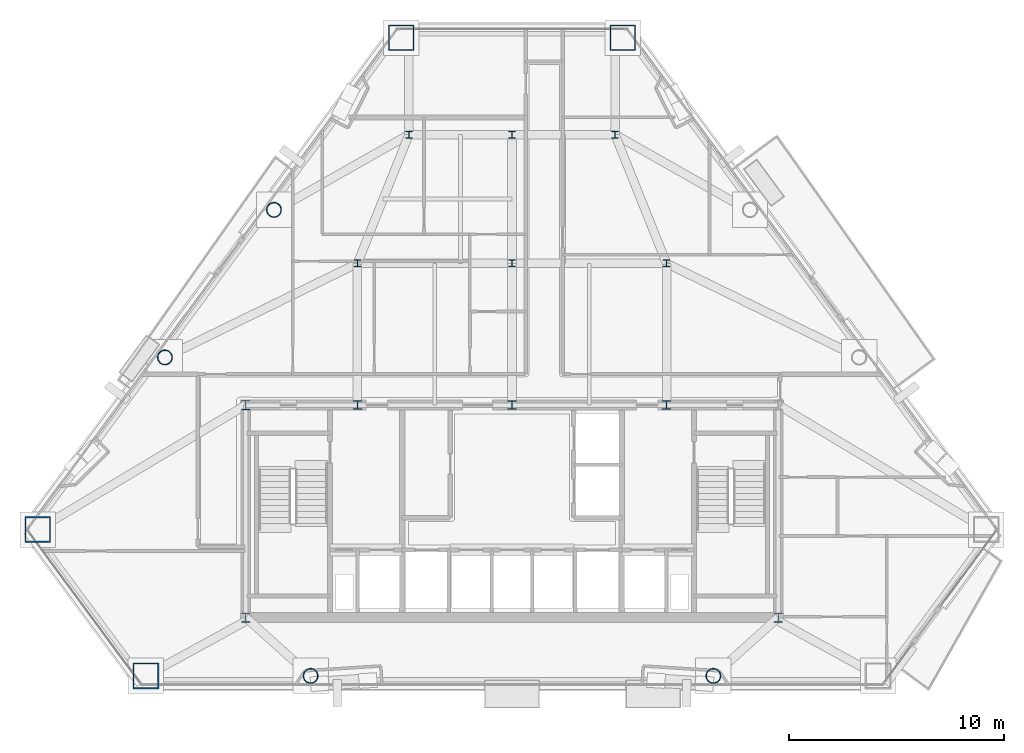
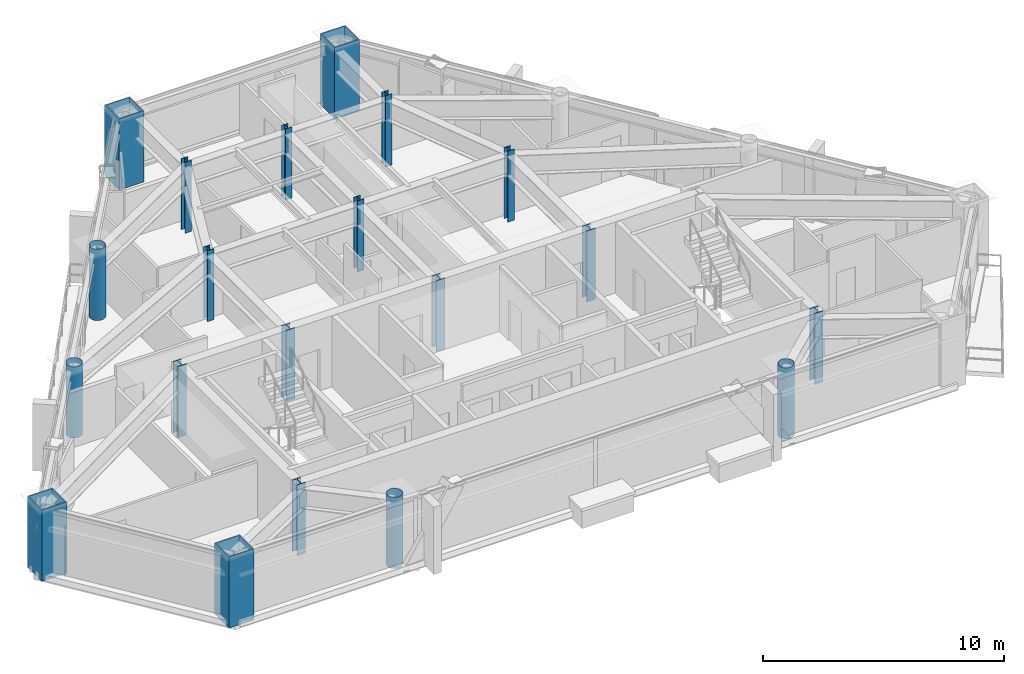
# One storey, part 1 of 11: 20 columns.
"""IFC4 building model written with IfcOpenShell, lengths in metres."""

from ifc_helpers import new_model, si_unit, direction, frame, origin, origin_2d, place, context, subcontext, project, spatial, hollow_rectangle, hollow_circle, i_section, extrude, material, material_profile, profile_set, type_object, element, save


model = new_model("IFC4")

# Units and contexts
model_context = context("Model", 3, precision=1e-05, world=origin(), true_north=direction((0.0, 1.0)))
body_context = subcontext(model_context, "Body", "Model", "MODEL_VIEW")
ifc_project = project(units=[si_unit("LENGTHUNIT", "METRE"), si_unit("AREAUNIT", "SQUARE_METRE"), si_unit("VOLUMEUNIT", "CUBIC_METRE"), si_unit("PLANEANGLEUNIT", "RADIAN"), si_unit("MASSUNIT", "GRAM", prefix="KILO")], contexts=[model_context])

# Site, building, storey
site_placement = place(None, origin())
site = spatial("IfcSite", under=ifc_project, at=site_placement, CompositionType="ELEMENT")
building_placement = place(site_placement, origin())
building = spatial("IfcBuilding", under=site, at=building_placement, Name="Talgorran Terracotta Tower", CompositionType="ELEMENT")
storey_placement = place(building_placement, frame((0.0, 0.0, 140.10009765625)))
storey = spatial("IfcBuildingStorey", under=building, at=storey_placement, Name="L36", CompositionType="ELEMENT", Elevation=140.10009765625)

# Columns
ifc_material_1 = material(Name="Steel S355 (300PLUS)", Category="steel")
ifc_material_profile_1 = material_profile(ifc_material_1, i_section(OverallWidth=0.311279296875, OverallDepth=0.3271484375, WebThickness=0.015625, FlangeThickness=0.02490234375, at=origin_2d()), Name="310UC158")
ifc_profile_set_1 = profile_set([ifc_material_profile_1], Name="Steel S355 (300PLUS)")
column_type_1 = type_object("IfcColumnType", Name="COL_310UC158", PredefinedType="COLUMN", material=ifc_profile_set_1)
for number, where, z_axis, x_axis, name in (
    (1, (-7.199951171875, 2.39990234375, 0.0), (0.0, 0.0, 1.0), (1.0, 0.0, 0.0), "L36 Interior Gravity Column IC1"),
    (2, (0.0, 2.39990234375, 0.0), (0.0, 0.0, 1.0), (1.0, 0.0, 0.0), "L36 Interior Gravity Column IC2"),
    (3, (7.199951171875, 2.39990234375, 0.0), (0.0, 0.0, 1.0), (1.0, 0.0, 0.0), "L36 Interior Gravity Column IC3"),
    (4, (-4.800048828125, 8.39990234375, 0.0), (0.0, 0.0, 1.0), (1.0, 0.0, 0.0), "L36 Interior Gravity Column IC4"),
    (5, (0.0, 8.39990234375, 0.0), (0.0, 0.0, 1.0), (1.0, 0.0, 0.0), "L36 Interior Gravity Column IC5"),
    (6, (4.800048828125, 8.39990234375, 0.0), (0.0, 0.0, 1.0), (1.0, 0.0, 0.0), "L36 Interior Gravity Column IC6"),
):
    element("IfcColumn", number, at=place(storey_placement, frame(where, z_axis=z_axis, x_axis=x_axis)), inside=storey, type_object=column_type_1, Name=name, PredefinedType="COLUMN", context=body_context, shape_type="SweptSolid", body=[
        extrude(i_section(OverallWidth=0.311279296875, OverallDepth=0.3271484375, WebThickness=0.015625, FlangeThickness=0.02490234375, at=origin_2d()), origin(), (0.0, 0.0, 1.0), 3.599853515625),
    ])
ifc_material_profile_2 = material_profile(ifc_material_1, i_section(OverallWidth=0.39990234375, OverallDepth=0.43994140625, WebThickness=0.028076171875, FlangeThickness=0.0400390625, at=origin_2d()), Name="400WC328")
ifc_profile_set_2 = profile_set([ifc_material_profile_2], Name="Steel S355 (300PLUS)")
column_type_2 = type_object("IfcColumnType", Name="COL_400WC328", PredefinedType="COLUMN", material=ifc_profile_set_2)
for number, where, z_axis, x_axis, name in (
    (7, (-12.39990234375, -14.10009765625, 0.0), (0.0, 0.0, 1.0), (1.0, 0.0, 0.0), "L36 Core Boundary Column CC1"),
    (8, (12.39990234375, -14.10009765625, 0.0), (0.0, 0.0, 1.0), (1.0, 0.0, 0.0), "L36 Core Boundary Column CC2"),
    (9, (-12.39990234375, -4.199951171875, 0.0), (0.0, 0.0, 1.0), (1.0, 0.0, 0.0), "L36 Core Boundary Column CC4"),
):
    element("IfcColumn", number, at=place(storey_placement, frame(where, z_axis=z_axis, x_axis=x_axis)), inside=storey, type_object=column_type_2, Name=name, PredefinedType="COLUMN", context=body_context, shape_type="SweptSolid", body=[
        extrude(i_section(OverallWidth=0.39990234375, OverallDepth=0.43994140625, WebThickness=0.028076171875, FlangeThickness=0.0400390625, at=origin_2d()), origin(), (0.0, 0.0, 1.0), 3.599853515625),
    ])
ifc_material_2 = material(Name="Steel Grade 350 (350L0)", Category="steel")
ifc_material_profile_3 = material_profile(ifc_material_2, hollow_rectangle(XDim=1.199951171875, YDim=1.199951171875, WallThickness=0.054931640625, at=origin_2d()), Name="CFT1200X1200X55")
ifc_profile_set_3 = profile_set([ifc_material_profile_3], Name="Steel Grade 350 (350L0)")
column_type_3 = type_object("IfcColumnType", Name="COL_CFT_1200", PredefinedType="COLUMN", material=ifc_profile_set_3)
for number, where, z_axis, x_axis, name in (
    (10, (-22.09619140625, -10.000244140625, 0.0), (0.0, 0.0, 1.0), (1.0, 0.0, 0.0), "L36 Corner CFT Mega-Column MC1"),
    (11, (-17.056884765625, -16.81884765625, 0.0), (0.0, 0.0, 1.0), (1.0, 0.0, 0.0), "L36 Corner CFT Mega-Column MC2"),
    (12, (5.16162109375, 12.91357421875, 0.0), (0.0, 0.0, 1.0), (1.0, 0.0, 0.0), "L36 Corner CFT Mega-Column MC5"),
    (13, (-5.16162109375, 12.91357421875, 0.0), (0.0, 0.0, 1.0), (1.0, 0.0, 0.0), "L36 Corner CFT Mega-Column MC6"),
):
    element("IfcColumn", number, at=place(storey_placement, frame(where, z_axis=z_axis, x_axis=x_axis)), inside=storey, type_object=column_type_3, Name=name, PredefinedType="COLUMN", context=body_context, shape_type="SweptSolid", body=[
        extrude(hollow_rectangle(XDim=1.199951171875, YDim=1.199951171875, WallThickness=0.054931640625, at=origin_2d()), origin(), (0.0, 0.0, 1.0), 3.599853515625),
    ])
ifc_material_profile_4 = material_profile(ifc_material_2, hollow_circle(Radius=0.35009765625, WallThickness=0.030029296875, at=origin_2d()), Name="CHS700X30")
ifc_profile_set_4 = profile_set([ifc_material_profile_4], Name="Steel Grade 350 (350L0)")
column_type_4 = type_object("IfcColumnType", Name="COL_CHS_700", PredefinedType="COLUMN", material=ifc_profile_set_4)
for number, where, z_axis, x_axis, name in (
    (14, (-9.381103515625, -16.81884765625, 0.0), (0.0, 0.0, 1.0), (1.0, 0.0, 0.0), "L36 Facet Perimeter Column FC1"),
    (15, (9.381103515625, -16.81884765625, 0.0), (0.0, 0.0, 1.0), (1.0, 0.0, 0.0), "L36 Facet Perimeter Column FC2"),
    (16, (-11.088623046875, 4.893798828125, 0.0), (0.0, 0.0, 1.0), (1.0, 0.0, 0.0), "L36 Facet Perimeter Column FC5"),
    (17, (-16.169189453125, -1.98046875, 0.0), (0.0, 0.0, 1.0), (1.0, 0.0, 0.0), "L36 Facet Perimeter Column FC6"),
):
    element("IfcColumn", number, at=place(storey_placement, frame(where, z_axis=z_axis, x_axis=x_axis)), inside=storey, type_object=column_type_4, Name=name, PredefinedType="COLUMN", context=body_context, shape_type="SweptSolid", body=[
        extrude(hollow_circle(Radius=0.35009765625, WallThickness=0.030029296875, at=origin_2d()), origin(), (0.0, 0.0, 1.0), 3.599853515625),
    ])
ifc_material_profile_5 = material_profile(ifc_material_1, i_section(OverallWidth=0.405029296875, OverallDepth=0.4140625, WebThickness=0.02197265625, FlangeThickness=0.031982421875, at=origin_2d()), Name="400WC270")
ifc_profile_set_5 = profile_set([ifc_material_profile_5], Name="Steel S355 (300PLUS)")
column_type_5 = type_object("IfcColumnType", Name="COL_PIL_400WC270", PredefinedType="PILASTER", material=ifc_profile_set_5)
for number, where, z_axis, x_axis, name in (
    (18, (-7.199951171875, -4.199951171875, 0.0), (0.0, 0.0, 1.0), (1.0, 0.0, 0.0), "L36 Core Shear Pilaster CP1"),
    (19, (0.0, -4.199951171875, 0.0), (0.0, 0.0, 1.0), (1.0, 0.0, 0.0), "L36 Core Shear Pilaster CP2"),
    (20, (7.199951171875, -4.199951171875, 0.0), (0.0, 0.0, 1.0), (1.0, 0.0, 0.0), "L36 Core Shear Pilaster CP3"),
):
    element("IfcColumn", number, at=place(storey_placement, frame(where, z_axis=z_axis, x_axis=x_axis)), inside=storey, type_object=column_type_5, Name=name, PredefinedType="PILASTER", context=body_context, shape_type="SweptSolid", body=[
        extrude(i_section(OverallWidth=0.405029296875, OverallDepth=0.4140625, WebThickness=0.02197265625, FlangeThickness=0.031982421875, at=origin_2d()), origin(), (0.0, 0.0, 1.0), 3.599853515625),
    ])

save(model, "model.ifc")
